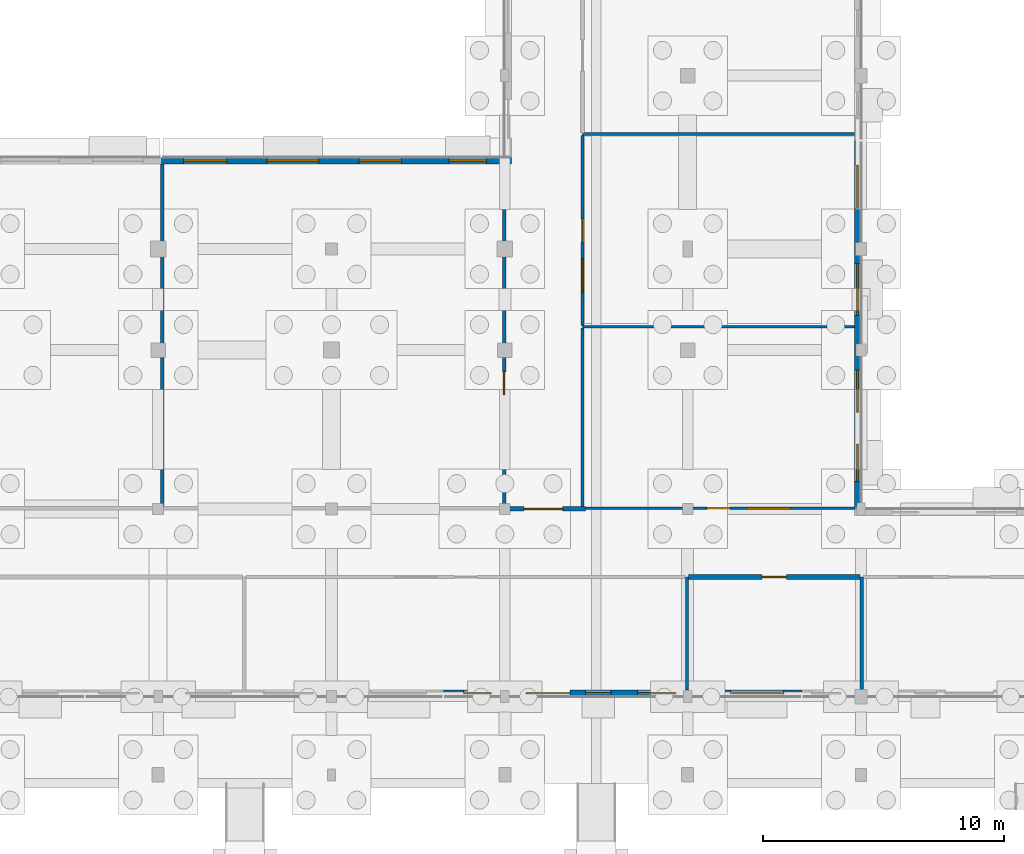
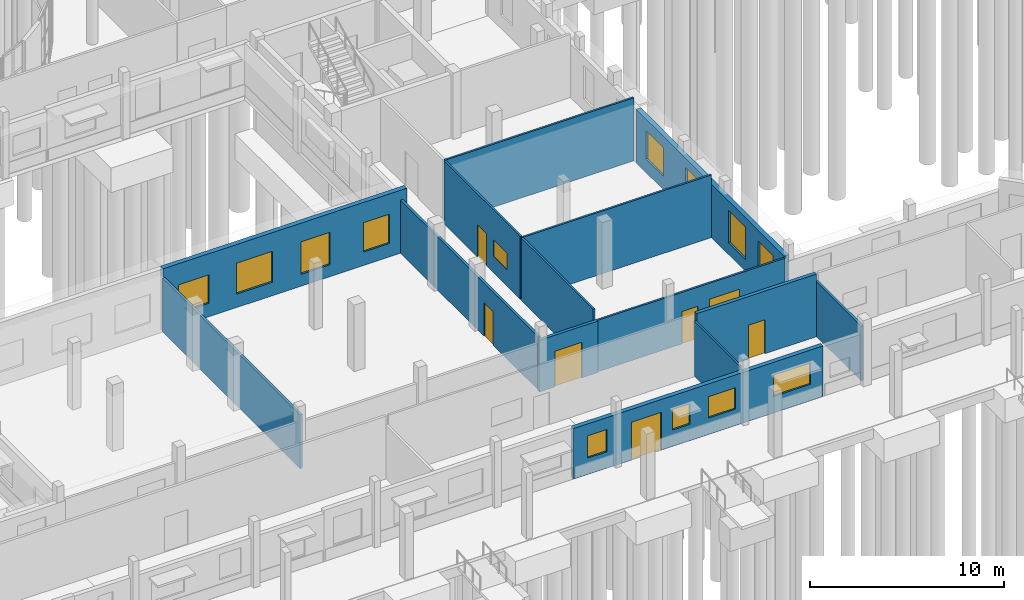
# One storey, part 65 of 93: 14 walls, 14 windows, 6 doors, 20 openings.
"""IFC4 building model written with IfcOpenShell, lengths in metres."""

from ifc_helpers import new_model, si_unit, direction, frame, frame_2d, origin, place, context, subcontext, project, spatial, rectangle, extrude, material, layer, layer_set, type_object, element, fill, save


model = new_model("IFC4")

# Units and contexts
model_context = context("Model", 3, precision=1e-05, world=origin(), true_north=direction((0.0, 1.0)))
body_context = subcontext(model_context, "Body", "Model", "MODEL_VIEW")
ifc_project = project(units=[si_unit("LENGTHUNIT", "METRE"), si_unit("AREAUNIT", "SQUARE_METRE"), si_unit("VOLUMEUNIT", "CUBIC_METRE"), si_unit("PLANEANGLEUNIT", "RADIAN"), si_unit("MASSUNIT", "GRAM", prefix="KILO")], contexts=[model_context])

# Site, building, storey
site_placement = place(None, origin())
site = spatial("IfcSite", under=ifc_project, at=site_placement, CompositionType="ELEMENT")
building_placement = place(site_placement, origin())
building = spatial("IfcBuilding", under=site, at=building_placement, Name="Kelanivale Promenade Academy", CompositionType="ELEMENT")
storey_placement = place(building_placement, origin())
storey = spatial("IfcBuildingStorey", under=building, at=storey_placement, Name="L00", CompositionType="ELEMENT", Elevation=0.0)

# Wall, openings, windows
ifc_material_1 = material(Name="Insulated ivory stucco masonry wall 280 mm", Category="masonry")
ifc_layer_1 = layer(ifc_material_1, 0.280029296875)
ifc_layer_set_1 = layer_set([ifc_layer_1], Name="Insulated ivory stucco masonry wall 280 mm")
wall_type_1 = type_object("IfcWallType", Name="EW-02 Wall 280mm", PredefinedType="SOLIDWALL", material=ifc_layer_set_1)
wall_1_placement = place(storey_placement, frame((93.860107421875, 11.39990234375, 0.0), z_axis=(0.0, 0.0, 1.0), x_axis=(0.0, 1.0, 0.0)))
wall_1 = element("IfcWall", 1, at=wall_1_placement, inside=storey, type_object=wall_type_1, Name="L00 exterior facade wall EW-L00-ORT-0287", PredefinedType="SOLIDWALL", context=body_context, shape_type="SweptSolid", body=[
    extrude(rectangle(XDim=15.300048828125, YDim=0.280029296875, at=frame_2d((7.64990234375, 0.0))), origin(), (0.0, 0.0, 1.0), 3.375),
])
opening_1_placement = place(wall_1_placement, frame((1.136962890625, 0.0, 0.85009765625)))
opening_1 = element("IfcOpeningElement", 2, at=opening_1_placement, cuts=wall_1, Name="Opening WT-31", PredefinedType="OPENING", context=body_context, shape_type="SweptSolid", body=[
    extrude(rectangle(XDim=1.550048828125, YDim=1.85009765625, at=frame_2d((0.77490234375, 0.925048828125))), frame((0.0, 0.14990234375, 0.0), z_axis=(0.0, -1.0, 0.0), x_axis=(1.0, 0.0, 0.0)), (0.0, 0.0, 1.0), 0.300048828125),
])
opening_2_placement = place(wall_1_placement, frame((4.012939453125, 0.0, 0.75)))
opening_2 = element("IfcOpeningElement", 3, at=opening_2_placement, cuts=wall_1, Name="Opening WT-32", PredefinedType="OPENING", context=body_context, shape_type="SweptSolid", body=[
    extrude(rectangle(XDim=1.75, YDim=2.050048828125, at=frame_2d((0.875, 1.02490234375))), frame((0.0, 0.14990234375, 0.0), z_axis=(0.0, -1.0, 0.0), x_axis=(1.0, 0.0, 0.0)), (0.0, 0.0, 1.0), 0.300048828125),
])
opening_3_placement = place(wall_1_placement, frame((8.0380859375, 0.0, 0.85009765625)))
opening_3 = element("IfcOpeningElement", 4, at=opening_3_placement, cuts=wall_1, Name="Opening WT-33", PredefinedType="OPENING", context=body_context, shape_type="SweptSolid", body=[
    extrude(rectangle(XDim=2.14990234375, YDim=1.949951171875, at=frame_2d((1.074951171875, 0.97509765625))), frame((0.0, 0.14990234375, 0.0), z_axis=(0.0, -1.0, 0.0), x_axis=(1.0, 0.0, 0.0)), (0.0, 0.0, 1.0), 0.300048828125),
])
opening_4_placement = place(wall_1_placement, frame((12.487060546875, 0.0, 0.85009765625)))
opening_4 = element("IfcOpeningElement", 5, at=opening_4_placement, cuts=wall_1, Name="Opening WT-01", PredefinedType="OPENING", context=body_context, shape_type="SweptSolid", body=[
    extrude(rectangle(XDim=1.800048828125, YDim=1.800048828125, at=frame_2d((0.89990234375, 0.89990234375))), frame((0.0, 0.14990234375, 0.0), z_axis=(0.0, -1.0, 0.0), x_axis=(1.0, 0.0, 0.0)), (0.0, 0.0, 1.0), 0.300048828125),
])
ifc_material_2 = material(Name="Bronze anodised aluminium frame with low-E laminated glass", Category="aluminium")
window_type_1 = type_object("IfcWindowType", Name="WT-01 Window 1800x1800", PartitioningType="SINGLE_PANEL", PredefinedType="WINDOW", material=ifc_material_2)
window_1_placement = place(opening_4_placement, origin())
window_1 = element("IfcWindow", 6, at=window_1_placement, inside=storey, type_object=window_type_1, Name="Window WT-01", OverallHeight=1.800048828125, OverallWidth=1.800048828125, PartitioningType="SINGLE_PANEL", PredefinedType="WINDOW", context=body_context, shape_type="SweptSolid", body=[
    extrude(rectangle(XDim=1.800048828125, YDim=1.800048828125, at=frame_2d((0.89990234375, 0.89990234375))), frame((0.0, 0.030029296875, 0.0), z_axis=(0.0, -1.0, 0.0), x_axis=(1.0, 0.0, 0.0)), (0.0, 0.0, 1.0), 0.06005859375),
])
fill(opening_4, window_1)
window_type_2 = type_object("IfcWindowType", Name="WT-31 Window 1550x1850", PartitioningType="SINGLE_PANEL", PredefinedType="WINDOW", material=ifc_material_2)
window_2_placement = place(opening_1_placement, origin())
window_2 = element("IfcWindow", 7, at=window_2_placement, inside=storey, type_object=window_type_2, Name="Window WT-31", OverallHeight=1.85009765625, OverallWidth=1.550048828125, PartitioningType="SINGLE_PANEL", PredefinedType="WINDOW", context=body_context, shape_type="SweptSolid", body=[
    extrude(rectangle(XDim=1.550048828125, YDim=1.85009765625, at=frame_2d((0.77490234375, 0.925048828125))), frame((0.0, 0.030029296875, 0.0), z_axis=(0.0, -1.0, 0.0), x_axis=(1.0, 0.0, 0.0)), (0.0, 0.0, 1.0), 0.06005859375),
])
fill(opening_1, window_2)
window_type_3 = type_object("IfcWindowType", Name="WT-32 Window 1750x2050", PartitioningType="SINGLE_PANEL", PredefinedType="WINDOW", material=ifc_material_2)
window_3_placement = place(opening_2_placement, origin())
window_3 = element("IfcWindow", 8, at=window_3_placement, inside=storey, type_object=window_type_3, Name="Window WT-32", OverallHeight=2.050048828125, OverallWidth=1.75, PartitioningType="SINGLE_PANEL", PredefinedType="WINDOW", context=body_context, shape_type="SweptSolid", body=[
    extrude(rectangle(XDim=1.75, YDim=2.050048828125, at=frame_2d((0.875, 1.02490234375))), frame((0.0, 0.030029296875, 0.0), z_axis=(0.0, -1.0, 0.0), x_axis=(1.0, 0.0, 0.0)), (0.0, 0.0, 1.0), 0.06005859375),
])
fill(opening_2, window_3)
window_type_4 = type_object("IfcWindowType", Name="WT-33 Window 2150x1950", PartitioningType="SINGLE_PANEL", PredefinedType="WINDOW", material=ifc_material_2)
window_4_placement = place(opening_3_placement, origin())
window_4 = element("IfcWindow", 9, at=window_4_placement, inside=storey, type_object=window_type_4, Name="Window WT-33", OverallHeight=1.949951171875, OverallWidth=2.14990234375, PartitioningType="SINGLE_PANEL", PredefinedType="WINDOW", context=body_context, shape_type="SweptSolid", body=[
    extrude(rectangle(XDim=2.14990234375, YDim=1.949951171875, at=frame_2d((1.074951171875, 0.97509765625))), frame((0.0, 0.030029296875, 0.0), z_axis=(0.0, -1.0, 0.0), x_axis=(1.0, 0.0, 0.0)), (0.0, 0.0, 1.0), 0.06005859375),
])
fill(opening_3, window_4)

wall_2_placement = place(storey_placement, frame((79.47998046875, 25.860107421875, 0.0), z_axis=(0.0, 0.0, 1.0), x_axis=(-1.0, 0.0, 0.0)))
wall_2 = element("IfcWall", 10, at=wall_2_placement, inside=storey, type_object=wall_type_1, Name="L00 exterior facade wall EW-L00-ORT-0323", PredefinedType="SOLIDWALL", context=body_context, shape_type="SweptSolid", body=[
    extrude(rectangle(XDim=14.5400390625, YDim=0.280029296875, at=frame_2d((7.27001953125, 0.0))), origin(), (0.0, 0.0, 1.0), 3.97998046875),
])
opening_5_placement = place(wall_2_placement, frame((1.04296875, 0.0, 0.85009765625)))
opening_5 = element("IfcOpeningElement", 11, at=opening_5_placement, cuts=wall_2, Name="Opening WT-31", PredefinedType="OPENING", context=body_context, shape_type="SweptSolid", body=[
    extrude(rectangle(XDim=1.550048828125, YDim=1.85009765625, at=frame_2d((0.77490234375, 0.925048828125))), frame((0.0, 0.14990234375, 0.0), z_axis=(0.0, -1.0, 0.0), x_axis=(1.0, 0.0, 0.0)), (0.0, 0.0, 1.0), 0.300048828125),
])
opening_6_placement = place(wall_2_placement, frame((4.577880859375, 0.0, 0.75)))
opening_6 = element("IfcOpeningElement", 12, at=opening_6_placement, cuts=wall_2, Name="Opening WT-32", PredefinedType="OPENING", context=body_context, shape_type="SweptSolid", body=[
    extrude(rectangle(XDim=1.75, YDim=2.050048828125, at=frame_2d((0.875, 1.02490234375))), frame((0.0, 0.14990234375, 0.0), z_axis=(0.0, -1.0, 0.0), x_axis=(1.0, 0.0, 0.0)), (0.0, 0.0, 1.0), 0.300048828125),
])
opening_7_placement = place(wall_2_placement, frame((8.012939453125, 0.0, 0.85009765625)))
opening_7 = element("IfcOpeningElement", 13, at=opening_7_placement, cuts=wall_2, Name="Opening WT-33", PredefinedType="OPENING", context=body_context, shape_type="SweptSolid", body=[
    extrude(rectangle(XDim=2.14990234375, YDim=1.949951171875, at=frame_2d((1.074951171875, 0.97509765625))), frame((0.0, 0.14990234375, 0.0), z_axis=(0.0, -1.0, 0.0), x_axis=(1.0, 0.0, 0.0)), (0.0, 0.0, 1.0), 0.300048828125),
])
opening_8_placement = place(wall_2_placement, frame((11.822998046875, 0.0, 0.85009765625)))
opening_8 = element("IfcOpeningElement", 14, at=opening_8_placement, cuts=wall_2, Name="Opening WT-01", PredefinedType="OPENING", context=body_context, shape_type="SweptSolid", body=[
    extrude(rectangle(XDim=1.800048828125, YDim=1.800048828125, at=frame_2d((0.89990234375, 0.89990234375))), frame((0.0, 0.14990234375, 0.0), z_axis=(0.0, -1.0, 0.0), x_axis=(1.0, 0.0, 0.0)), (0.0, 0.0, 1.0), 0.300048828125),
])
window_5_placement = place(opening_8_placement, origin())
window_5 = element("IfcWindow", 15, at=window_5_placement, inside=storey, type_object=window_type_1, Name="Window WT-01", OverallHeight=1.800048828125, OverallWidth=1.800048828125, PartitioningType="SINGLE_PANEL", PredefinedType="WINDOW", context=body_context, shape_type="SweptSolid", body=[
    extrude(rectangle(XDim=1.800048828125, YDim=1.800048828125, at=frame_2d((0.89990234375, 0.89990234375))), frame((0.0, 0.030029296875, 0.0), z_axis=(0.0, -1.0, 0.0), x_axis=(1.0, 0.0, 0.0)), (0.0, 0.0, 1.0), 0.06005859375),
])
fill(opening_8, window_5)
window_6_placement = place(opening_5_placement, origin())
window_6 = element("IfcWindow", 16, at=window_6_placement, inside=storey, type_object=window_type_2, Name="Window WT-31", OverallHeight=1.85009765625, OverallWidth=1.550048828125, PartitioningType="SINGLE_PANEL", PredefinedType="WINDOW", context=body_context, shape_type="SweptSolid", body=[
    extrude(rectangle(XDim=1.550048828125, YDim=1.85009765625, at=frame_2d((0.77490234375, 0.925048828125))), frame((0.0, 0.030029296875, 0.0), z_axis=(0.0, -1.0, 0.0), x_axis=(1.0, 0.0, 0.0)), (0.0, 0.0, 1.0), 0.06005859375),
])
fill(opening_5, window_6)
window_7_placement = place(opening_6_placement, origin())
window_7 = element("IfcWindow", 17, at=window_7_placement, inside=storey, type_object=window_type_3, Name="Window WT-32", OverallHeight=2.050048828125, OverallWidth=1.75, PartitioningType="SINGLE_PANEL", PredefinedType="WINDOW", context=body_context, shape_type="SweptSolid", body=[
    extrude(rectangle(XDim=1.75, YDim=2.050048828125, at=frame_2d((0.875, 1.02490234375))), frame((0.0, 0.030029296875, 0.0), z_axis=(0.0, -1.0, 0.0), x_axis=(1.0, 0.0, 0.0)), (0.0, 0.0, 1.0), 0.06005859375),
])
fill(opening_6, window_7)
window_8_placement = place(opening_7_placement, origin())
window_8 = element("IfcWindow", 18, at=window_8_placement, inside=storey, type_object=window_type_4, Name="Window WT-33", OverallHeight=1.949951171875, OverallWidth=2.14990234375, PartitioningType="SINGLE_PANEL", PredefinedType="WINDOW", context=body_context, shape_type="SweptSolid", body=[
    extrude(rectangle(XDim=2.14990234375, YDim=1.949951171875, at=frame_2d((1.074951171875, 0.97509765625))), frame((0.0, 0.030029296875, 0.0), z_axis=(0.0, -1.0, 0.0), x_axis=(1.0, 0.0, 0.0)), (0.0, 0.0, 1.0), 0.06005859375),
])
fill(opening_7, window_8)

# Wall, openings, door, windows
ifc_material_3 = material(Name="Insulated granite-faced masonry wall 260 mm", Category="masonry")
ifc_layer_2 = layer(ifc_material_3, 0.260009765625)
ifc_layer_set_2 = layer_set([ifc_layer_2], Name="Insulated granite-faced masonry wall 260 mm")
wall_type_2 = type_object("IfcWallType", Name="EW-03 Wall 260mm", PredefinedType="SOLIDWALL", material=ifc_layer_set_2)
wall_3_placement = place(storey_placement, frame((76.654052734375, 3.739990234375, 0.0), z_axis=(0.0, 0.0, 1.0), x_axis=(1.0, 0.0, 0.0)))
wall_3 = element("IfcWall", 19, at=wall_3_placement, inside=storey, type_object=wall_type_2, Name="L00 exterior facade wall EW-L00-ORT-0337", PredefinedType="SOLIDWALL", context=body_context, shape_type="SweptSolid", body=[
    extrude(rectangle(XDim=14.89306640625, YDim=0.260009765625, at=frame_2d((7.446533203125, 0.0))), origin(), (0.0, 0.0, 1.0), 3.205078125),
])
opening_9_placement = place(wall_3_placement, frame((3.446044921875, 0.0, 0.0)))
opening_9 = element("IfcOpeningElement", 20, at=opening_9_placement, cuts=wall_3, Name="Opening ED-01", PredefinedType="OPENING", context=body_context, shape_type="SweptSolid", body=[
    extrude(rectangle(XDim=1.800048828125, YDim=2.39990234375, at=frame_2d((0.89990234375, 1.199951171875))), frame((0.0, 0.14013671875, 0.0), z_axis=(0.0, -1.0, 0.0), x_axis=(1.0, 0.0, 0.0)), (0.0, 0.0, 1.0), 0.280029296875),
])
opening_10_placement = place(wall_3_placement, frame((0.8369140625, 0.0, 1.050048828125)))
opening_10 = element("IfcOpeningElement", 21, at=opening_10_placement, cuts=wall_3, Name="Opening WT-29", PredefinedType="OPENING", context=body_context, shape_type="SweptSolid", body=[
    extrude(rectangle(XDim=1.14990234375, YDim=1.39990234375, at=frame_2d((0.574951171875, 0.699951171875))), frame((0.0, 0.14013671875, 0.0), z_axis=(0.0, -1.0, 0.0), x_axis=(1.0, 0.0, 0.0)), (0.0, 0.0, 1.0), 0.280029296875),
])
opening_11_placement = place(wall_3_placement, frame((5.909912109375, 0.0, 1.050048828125)))
opening_11 = element("IfcOpeningElement", 22, at=opening_11_placement, cuts=wall_3, Name="Opening WT-30", PredefinedType="OPENING", context=body_context, shape_type="SweptSolid", body=[
    extrude(rectangle(XDim=1.050048828125, YDim=1.300048828125, at=frame_2d((0.52490234375, 0.64990234375))), frame((0.0, 0.14013671875, 0.0), z_axis=(0.0, -1.0, 0.0), x_axis=(1.0, 0.0, 0.0)), (0.0, 0.0, 1.0), 0.280029296875),
])
opening_12_placement = place(wall_3_placement, frame((8.05810546875, 0.0, 1.050048828125)))
opening_12 = element("IfcOpeningElement", 23, at=opening_12_placement, cuts=wall_3, Name="Opening WT-07", PredefinedType="OPENING", context=body_context, shape_type="SweptSolid", body=[
    extrude(rectangle(XDim=1.60009765625, YDim=1.35009765625, at=frame_2d((0.800048828125, 0.675048828125))), frame((0.0, 0.14013671875, 0.0), z_axis=(0.0, -1.0, 0.0), x_axis=(1.0, 0.0, 0.0)), (0.0, 0.0, 1.0), 0.280029296875),
])
opening_13_placement = place(wall_3_placement, frame((11.930908203125, 0.0, 1.050048828125)))
opening_13 = element("IfcOpeningElement", 24, at=opening_13_placement, cuts=wall_3, Name="Opening WT-08", PredefinedType="OPENING", context=body_context, shape_type="SweptSolid", body=[
    extrude(rectangle(XDim=2.199951171875, YDim=1.35009765625, at=frame_2d((1.10009765625, 0.675048828125))), frame((0.0, 0.14013671875, 0.0), z_axis=(0.0, -1.0, 0.0), x_axis=(1.0, 0.0, 0.0)), (0.0, 0.0, 1.0), 0.280029296875),
])
ifc_material_4 = material(Name="Bronze anodised aluminium and laminated glass", Category="aluminium")
door_type_1 = type_object("IfcDoorType", Name="DT-X01 Door 1800x2400", OperationType="NOTDEFINED", PredefinedType="DOOR", material=ifc_material_4)
door_1_placement = place(opening_9_placement, frame((1.800048828125, 0.0, 0.0), z_axis=(0.0, 0.0, 1.0), x_axis=(-1.0, 0.0, 0.0)))
door_1 = element("IfcDoor", 25, at=door_1_placement, inside=storey, type_object=door_type_1, Name="Main entrance final exit door ED-01", OperationType="DOUBLE_DOOR_SINGLE_SWING", OverallHeight=2.39990234375, OverallWidth=1.800048828125, PredefinedType="DOOR", context=body_context, shape_type="SweptSolid", body=[
    extrude(rectangle(XDim=1.800048828125, YDim=2.39990234375, at=frame_2d((0.89990234375, 1.199951171875))), frame((0.0, 0.02490234375, 0.0), z_axis=(0.0, -1.0, 0.0), x_axis=(1.0, 0.0, 0.0)), (0.0, 0.0, 1.0), 0.050048828125),
])
fill(opening_9, door_1)
window_type_5 = type_object("IfcWindowType", Name="WT-07 Window 1600x1350", PartitioningType="SINGLE_PANEL", PredefinedType="WINDOW", material=ifc_material_2)
window_9_placement = place(opening_12_placement, origin())
window_9 = element("IfcWindow", 26, at=window_9_placement, inside=storey, type_object=window_type_5, Name="Window WT-07", OverallHeight=1.35009765625, OverallWidth=1.60009765625, PartitioningType="SINGLE_PANEL", PredefinedType="WINDOW", context=body_context, shape_type="SweptSolid", body=[
    extrude(rectangle(XDim=1.60009765625, YDim=1.35009765625, at=frame_2d((0.800048828125, 0.675048828125))), frame((0.0, 0.030029296875, 0.0), z_axis=(0.0, -1.0, 0.0), x_axis=(1.0, 0.0, 0.0)), (0.0, 0.0, 1.0), 0.06005859375),
])
fill(opening_12, window_9)
window_type_6 = type_object("IfcWindowType", Name="WT-08 Window 2200x1350", PartitioningType="SINGLE_PANEL", PredefinedType="WINDOW", material=ifc_material_2)
window_10_placement = place(opening_13_placement, origin())
window_10 = element("IfcWindow", 27, at=window_10_placement, inside=storey, type_object=window_type_6, Name="Window WT-08", OverallHeight=1.35009765625, OverallWidth=2.199951171875, PartitioningType="SINGLE_PANEL", PredefinedType="WINDOW", context=body_context, shape_type="SweptSolid", body=[
    extrude(rectangle(XDim=2.199951171875, YDim=1.35009765625, at=frame_2d((1.10009765625, 0.675048828125))), frame((0.0, 0.030029296875, 0.0), z_axis=(0.0, -1.0, 0.0), x_axis=(1.0, 0.0, 0.0)), (0.0, 0.0, 1.0), 0.06005859375),
])
fill(opening_13, window_10)
window_type_7 = type_object("IfcWindowType", Name="WT-29 Window 1150x1400", PartitioningType="SINGLE_PANEL", PredefinedType="WINDOW", material=ifc_material_2)
window_11_placement = place(opening_10_placement, origin())
window_11 = element("IfcWindow", 28, at=window_11_placement, inside=storey, type_object=window_type_7, Name="Window WT-29", OverallHeight=1.39990234375, OverallWidth=1.14990234375, PartitioningType="SINGLE_PANEL", PredefinedType="WINDOW", context=body_context, shape_type="SweptSolid", body=[
    extrude(rectangle(XDim=1.14990234375, YDim=1.39990234375, at=frame_2d((0.574951171875, 0.699951171875))), frame((0.0, 0.030029296875, 0.0), z_axis=(0.0, -1.0, 0.0), x_axis=(1.0, 0.0, 0.0)), (0.0, 0.0, 1.0), 0.06005859375),
])
fill(opening_10, window_11)
window_type_8 = type_object("IfcWindowType", Name="WT-30 Window 1050x1300", PartitioningType="SINGLE_PANEL", PredefinedType="WINDOW", material=ifc_material_2)
window_12_placement = place(opening_11_placement, origin())
window_12 = element("IfcWindow", 29, at=window_12_placement, inside=storey, type_object=window_type_8, Name="Window WT-30", OverallHeight=1.300048828125, OverallWidth=1.050048828125, PartitioningType="SINGLE_PANEL", PredefinedType="WINDOW", context=body_context, shape_type="SweptSolid", body=[
    extrude(rectangle(XDim=1.050048828125, YDim=1.300048828125, at=frame_2d((0.52490234375, 0.64990234375))), frame((0.0, 0.030029296875, 0.0), z_axis=(0.0, -1.0, 0.0), x_axis=(1.0, 0.0, 0.0)), (0.0, 0.0, 1.0), 0.06005859375),
])
fill(opening_11, window_12)

# Wall, opening, door
ifc_material_5 = material(Name="Autoclaved masonry blockwork 210 mm", Category="masonry")
ifc_layer_3 = layer(ifc_material_5, 0.2099609375)
ifc_layer_set_3 = layer_set([ifc_layer_3], Name="Autoclaved masonry blockwork 210 mm")
wall_type_3 = type_object("IfcWallType", Name="IW-01 Wall 210mm", PredefinedType="PARTITIONING", material=ifc_layer_set_3)
wall_4_placement = place(storey_placement, frame((93.9619140625, 8.570068359375, 0.0), z_axis=(0.0, 0.0, 1.0), x_axis=(-1.0, 0.0, 0.0)))
wall_4 = element("IfcWall", 30, at=wall_4_placement, inside=storey, type_object=wall_type_3, Name="L00 partition Fire Command Centre", PredefinedType="PARTITIONING", context=body_context, shape_type="SweptSolid", body=[
    extrude(rectangle(XDim=7.135986328125, YDim=0.2099609375, at=frame_2d((3.56787109375, 0.0))), origin(), (0.0, 0.0, 1.0), 3.955078125),
])
opening_14_placement = place(wall_4_placement, frame((3.068115234375, 0.0, 0.0)))
opening_14 = element("IfcOpeningElement", 31, at=opening_14_placement, cuts=wall_4, Name="Opening ID-L00-027", PredefinedType="OPENING", context=body_context, shape_type="SweptSolid", body=[
    extrude(rectangle(XDim=1.0, YDim=2.14990234375, at=frame_2d((0.5, 1.074951171875))), frame((0.0, 0.114990234375, 0.0), z_axis=(0.0, -1.0, 0.0), x_axis=(1.0, 0.0, 0.0)), (0.0, 0.0, 1.0), 0.22998046875),
])
ifc_material_6 = material(Name="Fire-rated steel-core teak veneer", Category="steel")
door_type_2 = type_object("IfcDoorType", Name="DT-F05 Door 1000x2150", OperationType="NOTDEFINED", PredefinedType="DOOR", material=ifc_material_6)
door_2_placement = place(opening_14_placement, origin())
door_2 = element("IfcDoor", 32, at=door_2_placement, inside=storey, type_object=door_type_2, Name="Fire Command Centre door ID-L00-027", OperationType="SINGLE_SWING_LEFT", OverallHeight=2.14990234375, OverallWidth=1.0, PredefinedType="DOOR", context=body_context, shape_type="SweptSolid", body=[
    extrude(rectangle(XDim=1.0, YDim=2.14990234375, at=frame_2d((0.5, 1.074951171875))), frame((0.0, 0.02490234375, 0.0), z_axis=(0.0, -1.0, 0.0), x_axis=(1.0, 0.0, 0.0)), (0.0, 0.0, 1.0), 0.050048828125),
])
fill(opening_14, door_2)

ifc_material_7 = material(Name="Autoclaved masonry blockwork 180 mm", Category="masonry")
ifc_layer_4 = layer(ifc_material_7, 0.179931640625)
ifc_layer_set_4 = layer_set([ifc_layer_4], Name="Autoclaved masonry blockwork 180 mm")
wall_type_4 = type_object("IfcWallType", Name="IW-02 Wall 180mm", PredefinedType="PARTITIONING", material=ifc_layer_set_4)
wall_5_placement = place(storey_placement, frame((79.050048828125, 11.39990234375, 0.0), z_axis=(0.0, 0.0, 1.0), x_axis=(1.0, 0.0, 0.0)))
wall_5 = element("IfcWall", 33, at=wall_5_placement, inside=storey, type_object=wall_type_4, Name="L00 cross-corridor fire wall", PredefinedType="PARTITIONING", context=body_context, shape_type="SweptSolid", body=[
    extrude(rectangle(XDim=3.5, YDim=0.179931640625, at=frame_2d((1.75, 0.0))), origin(), (0.0, 0.0, 1.0), 3.2548828125),
])
opening_15_placement = place(wall_5_placement, frame((0.949951171875, 0.0, 0.0)))
opening_15 = element("IfcOpeningElement", 34, at=opening_15_placement, cuts=wall_5, Name="Opening FD-L00-CC-003", PredefinedType="OPENING", context=body_context, shape_type="SweptSolid", body=[
    extrude(rectangle(XDim=1.60009765625, YDim=2.25, at=frame_2d((0.800048828125, 1.125))), frame((0.0, 0.10009765625, 0.0), z_axis=(0.0, -1.0, 0.0), x_axis=(1.0, 0.0, 0.0)), (0.0, 0.0, 1.0), 0.199951171875),
])
door_type_3 = type_object("IfcDoorType", Name="DT-F09 Door 1600x2250", OperationType="NOTDEFINED", PredefinedType="DOOR", material=ifc_material_6)
door_3_placement = place(opening_15_placement, origin())
door_3 = element("IfcDoor", 35, at=door_3_placement, inside=storey, type_object=door_type_3, Name="L00 cross-corridor fire door FD-L00-CC-003", OperationType="DOUBLE_DOOR_SINGLE_SWING", OverallHeight=2.25, OverallWidth=1.60009765625, PredefinedType="DOOR", context=body_context, shape_type="SweptSolid", body=[
    extrude(rectangle(XDim=1.60009765625, YDim=2.25, at=frame_2d((0.800048828125, 1.125))), frame((0.0, 0.02490234375, 0.0), z_axis=(0.0, -1.0, 0.0), x_axis=(1.0, 0.0, 0.0)), (0.0, 0.0, 1.0), 0.050048828125),
])
fill(opening_15, door_3)

ifc_material_8 = material(Name="Acoustic gypsum-lined masonry partition 150 mm", Category="masonry")
ifc_layer_5 = layer(ifc_material_8, 0.14990234375)
ifc_layer_set_5 = layer_set([ifc_layer_5], Name="Acoustic gypsum-lined masonry partition 150 mm")
wall_type_5 = type_object("IfcWallType", Name="IW-03 Wall 150mm", PredefinedType="PARTITIONING", material=ifc_layer_set_5)
wall_6_placement = place(storey_placement, frame((79.169921875, 11.5029296875, 0.0), z_axis=(0.0, 0.0, 1.0), x_axis=(0.0, 1.0, 0.0)))
wall_6 = element("IfcWall", 36, at=wall_6_placement, inside=storey, type_object=wall_type_5, Name="L00 partition Dietary Cold Store", PredefinedType="PARTITIONING", context=body_context, shape_type="SweptSolid", body=[
    extrude(rectangle(XDim=14.218994140625, YDim=0.14990234375, at=frame_2d((7.109375, 0.0))), origin(), (0.0, 0.0, 1.0), 3.35498046875),
])
opening_16_placement = place(wall_6_placement, frame((4.64404296875, 0.0, 0.0)))
opening_16 = element("IfcOpeningElement", 37, at=opening_16_placement, cuts=wall_6, Name="Opening ID-L00-029", PredefinedType="OPENING", context=body_context, shape_type="SweptSolid", body=[
    extrude(rectangle(XDim=0.949951171875, YDim=2.10009765625, at=frame_2d((0.47509765625, 1.050048828125))), frame((0.0, 0.0849609375, 0.0), z_axis=(0.0, -1.0, 0.0), x_axis=(1.0, 0.0, 0.0)), (0.0, 0.0, 1.0), 0.169921875),
])
door_type_4 = type_object("IfcDoorType", Name="DT-F07 Door 950x2100", OperationType="NOTDEFINED", PredefinedType="DOOR", material=ifc_material_6)
door_4_placement = place(opening_16_placement, origin())
door_4 = element("IfcDoor", 38, at=door_4_placement, inside=storey, type_object=door_type_4, Name="Dietary Cold Store door ID-L00-029", OperationType="SINGLE_SWING_RIGHT", OverallHeight=2.10009765625, OverallWidth=0.949951171875, PredefinedType="DOOR", context=body_context, shape_type="SweptSolid", body=[
    extrude(rectangle(XDim=0.949951171875, YDim=2.10009765625, at=frame_2d((0.47509765625, 1.050048828125))), frame((0.0, 0.02490234375, 0.0), z_axis=(0.0, -1.0, 0.0), x_axis=(1.0, 0.0, 0.0)), (0.0, 0.0, 1.0), 0.050048828125),
])
fill(opening_16, door_4)

# Walls
ifc_material_9 = material(Name="Acoustic double-stud gypsum board partition 140 mm", Category="masonry")
ifc_layer_6 = layer(ifc_material_9, 0.139892578125)
ifc_layer_set_6 = layer_set([ifc_layer_6], Name="Acoustic double-stud gypsum board partition 140 mm")
wall_type_6 = type_object("IfcWallType", Name="IW-04 Wall 140mm", PredefinedType="PARTITIONING", material=ifc_layer_set_6)
wall_7_placement = place(storey_placement, frame((94.030029296875, 8.570068359375, 0.0), z_axis=(0.0, 0.0, 1.0), x_axis=(0.0, -1.0, 0.0)))
element("IfcWall", 39, at=wall_7_placement, inside=storey, type_object=wall_type_6, Name="L00 partition Harbour Community Cafe", PredefinedType="PARTITIONING", context=body_context, shape_type="SweptSolid", body=[
    extrude(rectangle(XDim=4.7021484375, YDim=0.139892578125, at=frame_2d((2.35107421875, 0.0))), origin(), (0.0, 0.0, 1.0), 3.455078125),
])
wall_8_placement = place(storey_placement, frame((64.969970703125, 11.498046875, 0.0), z_axis=(0.0, 0.0, 1.0), x_axis=(0.0, 1.0, 0.0)))
element("IfcWall", 40, at=wall_8_placement, inside=storey, type_object=wall_type_6, Name="L00 partition Junior Wellbeing Studio", PredefinedType="PARTITIONING", context=body_context, shape_type="SweptSolid", body=[
    extrude(rectangle(XDim=14.223876953125, YDim=0.139892578125, at=frame_2d((7.11181640625, 0.0))), origin(), (0.0, 0.0, 1.0), 3.405029296875),
])
ifc_material_10 = material(Name="Lightweight gypsum stud partition 115 mm", Category="masonry")
ifc_layer_7 = layer(ifc_material_10, 0.114990234375)
ifc_layer_set_7 = layer_set([ifc_layer_7], Name="Lightweight gypsum stud partition 115 mm")
wall_type_7 = type_object("IfcWallType", Name="IW-06 Wall 115mm", PredefinedType="PARTITIONING", material=ifc_layer_set_7)
wall_9_placement = place(storey_placement, frame((86.77001953125, 3.867919921875, 0.0), z_axis=(0.0, 0.0, 1.0), x_axis=(0.0, 1.0, 0.0)))
element("IfcWall", 41, at=wall_9_placement, inside=storey, type_object=wall_type_7, Name="L00 partition Main Entrance Reception", PredefinedType="PARTITIONING", context=body_context, shape_type="SweptSolid", body=[
    extrude(rectangle(XDim=4.7021484375, YDim=0.114990234375, at=frame_2d((2.35107421875, 0.0))), origin(), (0.0, 0.0, 1.0), 3.455078125),
])
wall_10_placement = place(storey_placement, frame((93.721923828125, 18.969970703125, 0.0), z_axis=(0.0, 0.0, 1.0), x_axis=(-1.0, 0.0, 0.0)))
element("IfcWall", 42, at=wall_10_placement, inside=storey, type_object=wall_type_7, Name="L00 partition Student Sick Bay", PredefinedType="PARTITIONING", context=body_context, shape_type="SweptSolid", body=[
    extrude(rectangle(XDim=11.2919921875, YDim=0.114990234375, at=frame_2d((5.64599609375, 0.0))), origin(), (0.0, 0.0, 1.0), 3.955078125),
])
wall_11_placement = place(storey_placement, frame((82.429931640625, 18.9140625, 0.0), z_axis=(0.0, 0.0, 1.0), x_axis=(0.0, -1.0, 0.0)))
element("IfcWall", 43, at=wall_11_placement, inside=storey, type_object=wall_type_7, Name="L00 partition Student Sick Bay", PredefinedType="PARTITIONING", context=body_context, shape_type="SweptSolid", body=[
    extrude(rectangle(XDim=7.426025390625, YDim=0.114990234375, at=frame_2d((3.712890625, 0.0))), origin(), (0.0, 0.0, 1.0), 3.955078125),
])

# Wall, openings, door, window
wall_12_placement = place(storey_placement, frame((82.429931640625, 11.429931640625, 0.0), z_axis=(0.0, 0.0, 1.0), x_axis=(1.0, 0.0, 0.0)))
wall_12 = element("IfcWall", 44, at=wall_12_placement, inside=storey, type_object=wall_type_7, Name="L00 partition Student Sick Bay", PredefinedType="PARTITIONING", context=body_context, shape_type="SweptSolid", body=[
    extrude(rectangle(XDim=11.2919921875, YDim=0.114990234375, at=frame_2d((5.64599609375, 0.0))), origin(), (0.0, 0.0, 1.0), 3.2548828125),
])
opening_17_placement = place(wall_12_placement, frame((5.1708984375, 0.0, 0.0)))
opening_17 = element("IfcOpeningElement", 45, at=opening_17_placement, cuts=wall_12, Name="Opening ID-L00-030", PredefinedType="OPENING", context=body_context, shape_type="SweptSolid", body=[
    extrude(rectangle(XDim=0.949951171875, YDim=2.050048828125, at=frame_2d((0.47509765625, 1.02490234375))), frame((0.0, 0.0673828125, 0.0), z_axis=(0.0, -1.0, 0.0), x_axis=(1.0, 0.0, 0.0)), (0.0, 0.0, 1.0), 0.135009765625),
])
opening_18_placement = place(wall_12_placement, frame((6.821044921875, 0.0, 1.050048828125)))
opening_18 = element("IfcOpeningElement", 46, at=opening_18_placement, cuts=wall_12, Name="Opening WT-I02", PredefinedType="OPENING", context=body_context, shape_type="SweptSolid", body=[
    extrude(rectangle(XDim=1.800048828125, YDim=1.199951171875, at=frame_2d((0.89990234375, 0.60009765625))), frame((0.0, 0.0673828125, 0.0), z_axis=(0.0, -1.0, 0.0), x_axis=(1.0, 0.0, 0.0)), (0.0, 0.0, 1.0), 0.135009765625),
])
ifc_material_11 = material(Name="Solid-core tropical teak timber", Category="wood")
door_type_5 = type_object("IfcDoorType", Name="DT-I07 Door 950x2050", OperationType="NOTDEFINED", PredefinedType="DOOR", material=ifc_material_11)
door_5_placement = place(opening_17_placement, origin())
door_5 = element("IfcDoor", 47, at=door_5_placement, inside=storey, type_object=door_type_5, Name="Student Sick Bay door ID-L00-030", OperationType="SINGLE_SWING_LEFT", OverallHeight=2.050048828125, OverallWidth=0.949951171875, PredefinedType="DOOR", context=body_context, shape_type="SweptSolid", body=[
    extrude(rectangle(XDim=0.949951171875, YDim=2.050048828125, at=frame_2d((0.47509765625, 1.02490234375))), frame((0.0, 0.02490234375, 0.0), z_axis=(0.0, -1.0, 0.0), x_axis=(1.0, 0.0, 0.0)), (0.0, 0.0, 1.0), 0.050048828125),
])
fill(opening_17, door_5)
window_type_9 = type_object("IfcWindowType", Name="WT-I02 Window 1800x1200", PartitioningType="SINGLE_PANEL", PredefinedType="WINDOW", material=ifc_material_2)
window_13_placement = place(opening_18_placement, origin())
window_13 = element("IfcWindow", 48, at=window_13_placement, inside=storey, type_object=window_type_9, Name="Interior observation window WT-I02", OverallHeight=1.199951171875, OverallWidth=1.800048828125, PartitioningType="SINGLE_PANEL", PredefinedType="WINDOW", context=body_context, shape_type="SweptSolid", body=[
    extrude(rectangle(XDim=1.800048828125, YDim=1.199951171875, at=frame_2d((0.89990234375, 0.60009765625))), frame((0.0, 0.030029296875, 0.0), z_axis=(0.0, -1.0, 0.0), x_axis=(1.0, 0.0, 0.0)), (0.0, 0.0, 1.0), 0.06005859375),
])
fill(opening_18, window_13)

# Wall
wall_13_placement = place(storey_placement, frame((93.721923828125, 26.969970703125, 0.0), z_axis=(0.0, 0.0, 1.0), x_axis=(-1.0, 0.0, 0.0)))
element("IfcWall", 49, at=wall_13_placement, inside=storey, type_object=wall_type_7, Name="L00 partition Bursar Administration Office", PredefinedType="PARTITIONING", context=body_context, shape_type="SweptSolid", body=[
    extrude(rectangle(XDim=11.2919921875, YDim=0.114990234375, at=frame_2d((5.64599609375, 0.0))), origin(), (0.0, 0.0, 1.0), 3.97509765625),
])

# Wall, openings, door, window
wall_14_placement = place(storey_placement, frame((82.429931640625, 26.9140625, 0.0), z_axis=(0.0, 0.0, 1.0), x_axis=(0.0, -1.0, 0.0)))
wall_14 = element("IfcWall", 50, at=wall_14_placement, inside=storey, type_object=wall_type_7, Name="L00 partition Bursar Administration Office", PredefinedType="PARTITIONING", context=body_context, shape_type="SweptSolid", body=[
    extrude(rectangle(XDim=7.88818359375, YDim=0.114990234375, at=frame_2d((3.944091796875, 0.0))), origin(), (0.0, 0.0, 1.0), 3.97509765625),
])
opening_19_placement = place(wall_14_placement, frame((3.468994140625, 0.0, 0.0)))
opening_19 = element("IfcOpeningElement", 51, at=opening_19_placement, cuts=wall_14, Name="Opening ID-L00-031", PredefinedType="OPENING", context=body_context, shape_type="SweptSolid", body=[
    extrude(rectangle(XDim=0.949951171875, YDim=2.050048828125, at=frame_2d((0.47509765625, 1.02490234375))), frame((0.0, 0.0673828125, 0.0), z_axis=(0.0, -1.0, 0.0), x_axis=(1.0, 0.0, 0.0)), (0.0, 0.0, 1.0), 0.135009765625),
])
opening_20_placement = place(wall_14_placement, frame((5.118896484375, 0.0, 1.050048828125)))
opening_20 = element("IfcOpeningElement", 52, at=opening_20_placement, cuts=wall_14, Name="Opening WT-I03", PredefinedType="OPENING", context=body_context, shape_type="SweptSolid", body=[
    extrude(rectangle(XDim=1.39990234375, YDim=1.050048828125, at=frame_2d((0.699951171875, 0.52490234375))), frame((0.0, 0.0673828125, 0.0), z_axis=(0.0, -1.0, 0.0), x_axis=(1.0, 0.0, 0.0)), (0.0, 0.0, 1.0), 0.135009765625),
])
door_6_placement = place(opening_19_placement, origin())
door_6 = element("IfcDoor", 53, at=door_6_placement, inside=storey, type_object=door_type_5, Name="Bursar Administration Office door ID-L00-031", OperationType="SINGLE_SWING_RIGHT", OverallHeight=2.050048828125, OverallWidth=0.949951171875, PredefinedType="DOOR", context=body_context, shape_type="SweptSolid", body=[
    extrude(rectangle(XDim=0.949951171875, YDim=2.050048828125, at=frame_2d((0.47509765625, 1.02490234375))), frame((0.0, 0.02490234375, 0.0), z_axis=(0.0, -1.0, 0.0), x_axis=(1.0, 0.0, 0.0)), (0.0, 0.0, 1.0), 0.050048828125),
])
fill(opening_19, door_6)
window_type_10 = type_object("IfcWindowType", Name="WT-I03 Window 1400x1050", PartitioningType="SINGLE_PANEL", PredefinedType="WINDOW", material=ifc_material_2)
window_14_placement = place(opening_20_placement, origin())
window_14 = element("IfcWindow", 54, at=window_14_placement, inside=storey, type_object=window_type_10, Name="Interior observation window WT-I03", OverallHeight=1.050048828125, OverallWidth=1.39990234375, PartitioningType="SINGLE_PANEL", PredefinedType="WINDOW", context=body_context, shape_type="SweptSolid", body=[
    extrude(rectangle(XDim=1.39990234375, YDim=1.050048828125, at=frame_2d((0.699951171875, 0.52490234375))), frame((0.0, 0.030029296875, 0.0), z_axis=(0.0, -1.0, 0.0), x_axis=(1.0, 0.0, 0.0)), (0.0, 0.0, 1.0), 0.06005859375),
])
fill(opening_20, window_14)

save(model, "model.ifc")
